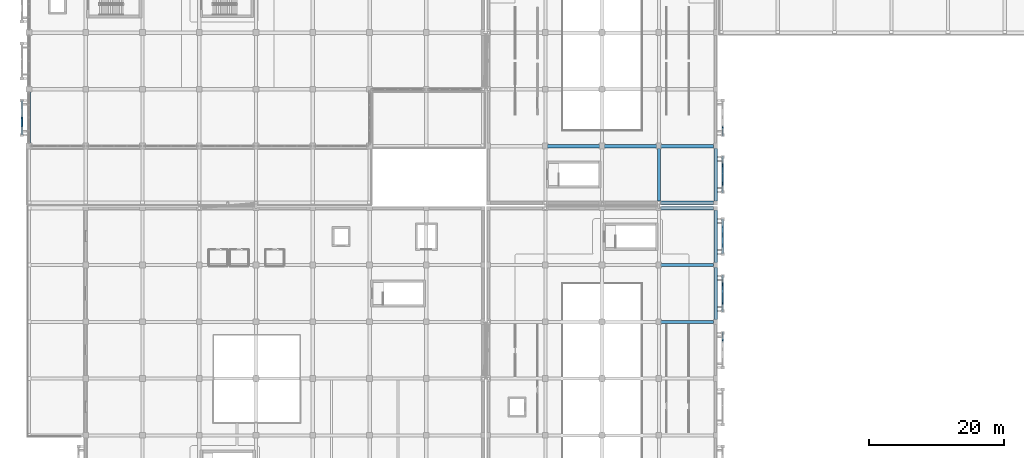
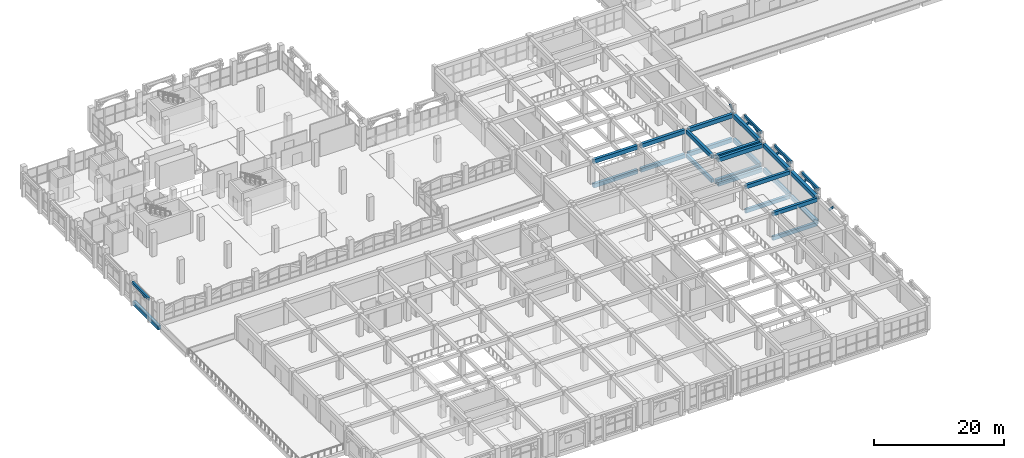
# One storey, part 39 of 129: 27 beams, 15 members.
"""IFC4 building model written with IfcOpenShell, lengths in metres."""

from ifc_helpers import new_model, si_unit, direction, frame, origin, origin_2d, place, context, subcontext, project, spatial, rectangle, extrude, material, material_profile, profile_set, type_object, element, save


model = new_model("IFC4")

# Units and contexts
model_context = context("Model", 3, precision=1e-05, world=origin(), true_north=direction((0.0, 1.0)))
body_context = subcontext(model_context, "Body", "Model", "MODEL_VIEW")
ifc_project = project(units=[si_unit("LENGTHUNIT", "METRE"), si_unit("AREAUNIT", "SQUARE_METRE"), si_unit("VOLUMEUNIT", "CUBIC_METRE"), si_unit("PLANEANGLEUNIT", "RADIAN"), si_unit("MASSUNIT", "GRAM", prefix="KILO")], contexts=[model_context])

# Site, building, storey
site_placement = place(None, origin())
site = spatial("IfcSite", under=ifc_project, at=site_placement, CompositionType="ELEMENT")
building_placement = place(site_placement, origin())
building = spatial("IfcBuilding", under=site, at=building_placement, Name="Xazarin Passage Department Store", CompositionType="ELEMENT")
storey_placement = place(building_placement, frame((0.0, 0.0, 9.89990234375)))
storey = spatial("IfcBuildingStorey", under=building, at=storey_placement, Name="L02", CompositionType="ELEMENT", Elevation=9.89990234375)

# Beams
ifc_material_1 = material(Name="Concrete C35/45", Category="concrete")
ifc_material_profile_1 = material_profile(ifc_material_1, rectangle(XDim=0.449951171875, YDim=0.699951171875, at=origin_2d()), Name="RC 450x700")
ifc_profile_set_1 = profile_set([ifc_material_profile_1], Name="Concrete C35/45")
beam_type_1 = type_object("IfcBeamType", Name="STR-BM-G450x700", PredefinedType="BEAM", material=ifc_profile_set_1)
for number, where, z_axis, x_axis, name in (
    (1, (93.47998046875, 33.60009765625, -0.64990234375), (1.0, 0.0, 0.0), (0.0, 1.0, 0.0), "L02 Grid Beam E/13-14"),
    (2, (93.47998046875, 42.0, -0.64990234375), (1.0, 0.0, 0.0), (0.0, 1.0, 0.0), "L02 Grid Beam F/13-14"),
    (3, (93.47998046875, 33.60009765625, 3.89013671875), (1.0, 0.0, 0.0), (0.0, 1.0, 0.0), "L02 Grid Beam E/13-14"),
    (4, (93.47998046875, 42.0, 3.89013671875), (1.0, 0.0, 0.0), (0.0, 1.0, 0.0), "L02 Grid Beam F/13-14"),
    (5, (93.199951171875, 51.47998046875, -0.64990234375), (0.0, 1.0, 0.0), (-1.0, 0.0, 0.0), "L02 Grid Beam 13/H-J"),
    (6, (93.199951171875, 51.47998046875, 3.89013671875), (0.0, 1.0, 0.0), (-1.0, 0.0, 0.0), "L02 Grid Beam 13/H-J"),
):
    element("IfcBeam", number, at=place(storey_placement, frame(where, z_axis=z_axis, x_axis=x_axis)), inside=storey, type_object=beam_type_1, Name=name, PredefinedType="BEAM", context=body_context, shape_type="SweptSolid", body=[
        extrude(rectangle(XDim=0.449951171875, YDim=0.699951171875, at=origin_2d()), origin(), (0.0, 0.0, 1.0), 7.840087890625),
    ])
ifc_material_profile_2 = material_profile(ifc_material_1, rectangle(XDim=0.300048828125, YDim=0.5, at=origin_2d()), Name="RC 300x500")
ifc_profile_set_2 = profile_set([ifc_material_profile_2], Name="Concrete C35/45")
beam_type_2 = type_object("IfcBeamType", Name="STR-BM-LN300x500", PredefinedType="LINTEL", material=ifc_profile_set_2)
for number, where, z_axis, x_axis, name in (
    (7, (-1.050048828125, 61.219970703125, 4.25), (0.0, 1.0, 0.0), (-1.0, 0.0, 0.0), "L02 V1 Colonnade Spandrel Beam 009"),
    (8, (102.64990234375, 35.219970703125, 4.25), (0.0, 1.0, 0.0), (-1.0, 0.0, 0.0), "L02 V2S Colonnade Spandrel Beam 022"),
    (9, (102.64990234375, 43.6201171875, 4.25), (0.0, 1.0, 0.0), (-1.0, 0.0, 0.0), "L02 V2S Colonnade Spandrel Beam 023"),
    (10, (102.64990234375, 52.820068359375, 4.25), (0.0, 1.0, 0.0), (-1.0, 0.0, 0.0), "L02 V2N Colonnade Spandrel Beam 024"),
):
    element("IfcBeam", number, at=place(storey_placement, frame(where, z_axis=z_axis, x_axis=x_axis)), inside=storey, type_object=beam_type_2, Name=name, PredefinedType="LINTEL", context=body_context, shape_type="SweptSolid", body=[
        extrude(rectangle(XDim=0.300048828125, YDim=0.5, at=origin_2d()), origin(), (0.0, 0.0, 1.0), 5.159912109375),
    ])
ifc_material_profile_3 = material_profile(ifc_material_1, rectangle(XDim=0.5, YDim=0.75, at=origin_2d()), Name="RC 500x750")
ifc_profile_set_3 = profile_set([ifc_material_profile_3], Name="Concrete C35/45")
beam_type_3 = type_object("IfcBeamType", Name="STR-BM-SP500x750", PredefinedType="SPANDREL", material=ifc_profile_set_3)
for number, where, z_axis, x_axis, name in (
    (11, (0.0, 59.8798828125, -0.6748046875), (0.0, 1.0, 0.0), (-1.0, 0.0, 0.0), "L02 Grid Beam 1/J-K"),
    (12, (93.47998046875, 50.39990234375, -0.6748046875), (1.0, 0.0, 0.0), (0.0, 1.0, 0.0), "L02 Grid Beam G/13-14"),
    (13, (101.60009765625, 33.8798828125, -0.6748046875), (0.0, 1.0, 0.0), (-1.0, 0.0, 0.0), "L02 Grid Beam 14/E-F"),
    (14, (101.60009765625, 42.280029296875, -0.6748046875), (0.0, 1.0, 0.0), (-1.0, 0.0, 0.0), "L02 Grid Beam 14/F-G"),
    (15, (93.47998046875, 50.39990234375, 3.864990234375), (1.0, 0.0, 0.0), (0.0, 1.0, 0.0), "L02 Grid Beam G/13-14"),
    (16, (101.60009765625, 33.8798828125, 3.864990234375), (0.0, 1.0, 0.0), (-1.0, 0.0, 0.0), "L02 Grid Beam 14/E-F"),
    (17, (101.60009765625, 42.280029296875, 3.864990234375), (0.0, 1.0, 0.0), (-1.0, 0.0, 0.0), "L02 Grid Beam 14/F-G"),
    (18, (93.47998046875, 51.199951171875, -0.6748046875), (1.0, 0.0, 0.0), (0.0, 1.0, 0.0), "L02 Grid Beam H/13-14"),
    (19, (76.679931640625, 59.60009765625, -0.6748046875), (1.0, 0.0, 0.0), (0.0, 1.0, 0.0), "L02 Grid Beam J/11-12"),
):
    element("IfcBeam", number, at=place(storey_placement, frame(where, z_axis=z_axis, x_axis=x_axis)), inside=storey, type_object=beam_type_3, Name=name, PredefinedType="SPANDREL", context=body_context, shape_type="SweptSolid", body=[
        extrude(rectangle(XDim=0.5, YDim=0.75, at=origin_2d()), origin(), (0.0, 0.0, 1.0), 7.840087890625),
    ])
beam_1_placement = place(storey_placement, frame((85.080078125, 59.60009765625, -0.6748046875), z_axis=(1.0, 0.0, 0.0), x_axis=(0.0, 1.0, 0.0)))
element("IfcBeam", 20, at=beam_1_placement, inside=storey, type_object=beam_type_3, Name="L02 Grid Beam J/12-13", PredefinedType="SPANDREL", context=body_context, shape_type="SweptSolid", body=[
    extrude(rectangle(XDim=0.5, YDim=0.75, at=origin_2d()), origin(), (0.0, 0.0, 1.0), 7.83984375),
])
for number, where, z_axis, x_axis, name in (
    (21, (93.47998046875, 59.60009765625, -0.6748046875), (1.0, 0.0, 0.0), (0.0, 1.0, 0.0), "L02 Grid Beam J/13-14"),
    (22, (101.60009765625, 51.47998046875, -0.6748046875), (0.0, 1.0, 0.0), (-1.0, 0.0, 0.0), "L02 Grid Beam 14/H-J"),
    (23, (93.47998046875, 51.199951171875, 3.864990234375), (1.0, 0.0, 0.0), (0.0, 1.0, 0.0), "L02 Grid Beam H/13-14"),
    (24, (76.679931640625, 59.60009765625, 3.864990234375), (1.0, 0.0, 0.0), (0.0, 1.0, 0.0), "L02 Grid Beam J/11-12"),
):
    element("IfcBeam", number, at=place(storey_placement, frame(where, z_axis=z_axis, x_axis=x_axis)), inside=storey, type_object=beam_type_3, Name=name, PredefinedType="SPANDREL", context=body_context, shape_type="SweptSolid", body=[
        extrude(rectangle(XDim=0.5, YDim=0.75, at=origin_2d()), origin(), (0.0, 0.0, 1.0), 7.840087890625),
    ])
beam_2_placement = place(storey_placement, frame((85.080078125, 59.60009765625, 3.864990234375), z_axis=(1.0, 0.0, 0.0), x_axis=(0.0, 1.0, 0.0)))
element("IfcBeam", 25, at=beam_2_placement, inside=storey, type_object=beam_type_3, Name="L02 Grid Beam J/12-13", PredefinedType="SPANDREL", context=body_context, shape_type="SweptSolid", body=[
    extrude(rectangle(XDim=0.5, YDim=0.75, at=origin_2d()), origin(), (0.0, 0.0, 1.0), 7.83984375),
])
for number, where, z_axis, x_axis, name in (
    (26, (93.47998046875, 59.60009765625, 3.864990234375), (1.0, 0.0, 0.0), (0.0, 1.0, 0.0), "L02 Grid Beam J/13-14"),
    (27, (101.60009765625, 51.47998046875, 3.864990234375), (0.0, 1.0, 0.0), (-1.0, 0.0, 0.0), "L02 Grid Beam 14/H-J"),
):
    element("IfcBeam", number, at=place(storey_placement, frame(where, z_axis=z_axis, x_axis=x_axis)), inside=storey, type_object=beam_type_3, Name=name, PredefinedType="SPANDREL", context=body_context, shape_type="SweptSolid", body=[
        extrude(rectangle(XDim=0.5, YDim=0.75, at=origin_2d()), origin(), (0.0, 0.0, 1.0), 7.840087890625),
    ])

# Members
ifc_material_2 = material(Name="Concrete C40/50", Category="concrete")
ifc_material_profile_4 = material_profile(ifc_material_2, rectangle(XDim=0.199951171875, YDim=0.360107421875, at=origin_2d()), Name="RC 200x360")
ifc_profile_set_4 = profile_set([ifc_material_profile_4], Name="Concrete C40/50")
member_type = type_object("IfcMemberType", Name="STR-MEM-ARC360", PredefinedType="CHORD", material=ifc_profile_set_4)
member_1_placement = place(storey_placement, frame((-1.050048828125, 62.510009765625, 3.7705078125), z_axis=(0.0, 0.972393983317, 0.233345111818), x_axis=(-1.0, 0.0, 0.0)))
element("IfcMember", 28, at=member_1_placement, inside=storey, type_object=member_type, Name="L02 V1 Pierced Lattice Curved Arch 009.2", PredefinedType="CHORD", context=body_context, shape_type="SweptSolid", body=[
    extrude(rectangle(XDim=0.199951171875, YDim=0.360107421875, at=origin_2d()), origin(), (0.0, 0.0, 1.0), 1.32666015625),
])
for number, where, z_axis, x_axis, name in (
    (29, (102.64990234375, 30.68994140625, 3.7705078125), (0.0, 0.693460080602, -0.720495049679), (-1.0, 0.0, 0.0), "L02 V2S Pierced Lattice Curved Arch 021.4"),
    (30, (102.64990234375, 35.219970703125, 2.43017578125), (0.0, 0.693460080602, 0.720495049679), (-1.0, 0.0, 0.0), "L02 V2S Pierced Lattice Curved Arch 022.1"),
):
    element("IfcMember", number, at=place(storey_placement, frame(where, z_axis=z_axis, x_axis=x_axis)), inside=storey, type_object=member_type, Name=name, PredefinedType="CHORD", context=body_context, shape_type="SweptSolid", body=[
        extrude(rectangle(XDim=0.199951171875, YDim=0.360107421875, at=origin_2d()), origin(), (0.0, 0.0, 1.0), 1.8603515625),
    ])
for number, where, z_axis, x_axis, name in (
    (31, (102.64990234375, 36.510009765625, 3.7705078125), (0.0, 0.972393983317, 0.233345111818), (-1.0, 0.0, 0.0), "L02 V2S Pierced Lattice Curved Arch 022.2"),
    (32, (102.64990234375, 37.800048828125, 4.080078125), (0.0, 0.972393983317, -0.233345111818), (-1.0, 0.0, 0.0), "L02 V2S Pierced Lattice Curved Arch 022.3"),
):
    element("IfcMember", number, at=place(storey_placement, frame(where, z_axis=z_axis, x_axis=x_axis)), inside=storey, type_object=member_type, Name=name, PredefinedType="CHORD", context=body_context, shape_type="SweptSolid", body=[
        extrude(rectangle(XDim=0.199951171875, YDim=0.360107421875, at=origin_2d()), origin(), (0.0, 0.0, 1.0), 1.32666015625),
    ])
for number, where, z_axis, x_axis, name in (
    (33, (102.64990234375, 39.090087890625, 3.7705078125), (0.0, 0.693391944082, -0.720560623322), (-1.0, 0.0, 0.0), "L02 V2S Pierced Lattice Curved Arch 022.4"),
    (34, (102.64990234375, 43.6201171875, 2.43017578125), (0.0, 0.693391944082, 0.720560623322), (-1.0, 0.0, 0.0), "L02 V2S Pierced Lattice Curved Arch 023.1"),
):
    element("IfcMember", number, at=place(storey_placement, frame(where, z_axis=z_axis, x_axis=x_axis)), inside=storey, type_object=member_type, Name=name, PredefinedType="CHORD", context=body_context, shape_type="SweptSolid", body=[
        extrude(rectangle(XDim=0.199951171875, YDim=0.360107421875, at=origin_2d()), origin(), (0.0, 0.0, 1.0), 1.860107421875),
    ])
for number, where, z_axis, x_axis, name in (
    (35, (102.64990234375, 44.909912109375, 3.7705078125), (0.0, 0.972393983317, 0.233345111818), (-1.0, 0.0, 0.0), "L02 V2S Pierced Lattice Curved Arch 023.2"),
    (36, (102.64990234375, 46.199951171875, 4.080078125), (0.0, 0.972393983317, -0.233345111818), (-1.0, 0.0, 0.0), "L02 V2S Pierced Lattice Curved Arch 023.3"),
):
    element("IfcMember", number, at=place(storey_placement, frame(where, z_axis=z_axis, x_axis=x_axis)), inside=storey, type_object=member_type, Name=name, PredefinedType="CHORD", context=body_context, shape_type="SweptSolid", body=[
        extrude(rectangle(XDim=0.199951171875, YDim=0.360107421875, at=origin_2d()), origin(), (0.0, 0.0, 1.0), 1.32666015625),
    ])
for number, where, z_axis, x_axis, name in (
    (37, (102.64990234375, 47.489990234375, 3.7705078125), (0.0, 0.693460080602, -0.720495049679), (-1.0, 0.0, 0.0), "L02 V2S Pierced Lattice Curved Arch 023.4"),
    (38, (102.64990234375, 52.820068359375, 2.43017578125), (0.0, 0.693460080602, 0.720495049679), (-1.0, 0.0, 0.0), "L02 V2N Pierced Lattice Curved Arch 024.1"),
):
    element("IfcMember", number, at=place(storey_placement, frame(where, z_axis=z_axis, x_axis=x_axis)), inside=storey, type_object=member_type, Name=name, PredefinedType="CHORD", context=body_context, shape_type="SweptSolid", body=[
        extrude(rectangle(XDim=0.199951171875, YDim=0.360107421875, at=origin_2d()), origin(), (0.0, 0.0, 1.0), 1.8603515625),
    ])
member_2_placement = place(storey_placement, frame((102.64990234375, 54.110107421875, 3.7705078125), z_axis=(0.0, 0.972383960415, 0.233386875224), x_axis=(-1.0, 0.0, 0.0)))
element("IfcMember", 39, at=member_2_placement, inside=storey, type_object=member_type, Name="L02 V2N Pierced Lattice Curved Arch 024.2", PredefinedType="CHORD", context=body_context, shape_type="SweptSolid", body=[
    extrude(rectangle(XDim=0.199951171875, YDim=0.360107421875, at=origin_2d()), origin(), (0.0, 0.0, 1.0), 1.326416015625),
])
member_3_placement = place(storey_placement, frame((102.64990234375, 55.39990234375, 4.080078125), z_axis=(0.0, 0.972393983317, -0.233345111818), x_axis=(-1.0, 0.0, 0.0)))
element("IfcMember", 40, at=member_3_placement, inside=storey, type_object=member_type, Name="L02 V2N Pierced Lattice Curved Arch 024.3", PredefinedType="CHORD", context=body_context, shape_type="SweptSolid", body=[
    extrude(rectangle(XDim=0.199951171875, YDim=0.360107421875, at=origin_2d()), origin(), (0.0, 0.0, 1.0), 1.32666015625),
])
for number, where, z_axis, x_axis, name in (
    (41, (102.64990234375, 56.68994140625, 3.7705078125), (0.0, 0.693460080602, -0.720495049679), (-1.0, 0.0, 0.0), "L02 V2N Pierced Lattice Curved Arch 024.4"),
    (42, (102.64990234375, 61.219970703125, 2.43017578125), (0.0, 0.693460080602, 0.720495049679), (-1.0, 0.0, 0.0), "L02 V2N Pierced Lattice Curved Arch 025.1"),
):
    element("IfcMember", number, at=place(storey_placement, frame(where, z_axis=z_axis, x_axis=x_axis)), inside=storey, type_object=member_type, Name=name, PredefinedType="CHORD", context=body_context, shape_type="SweptSolid", body=[
        extrude(rectangle(XDim=0.199951171875, YDim=0.360107421875, at=origin_2d()), origin(), (0.0, 0.0, 1.0), 1.8603515625),
    ])

save(model, "model.ifc")
